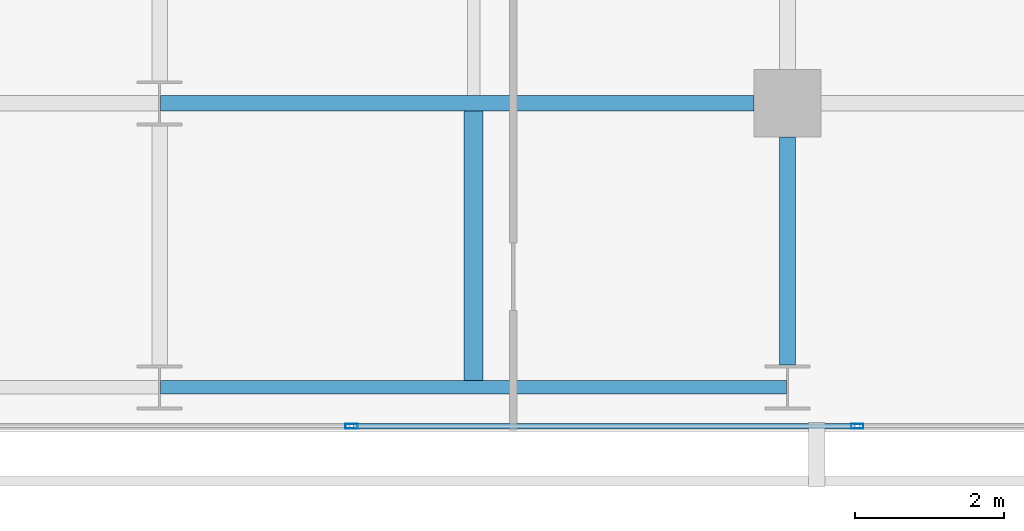
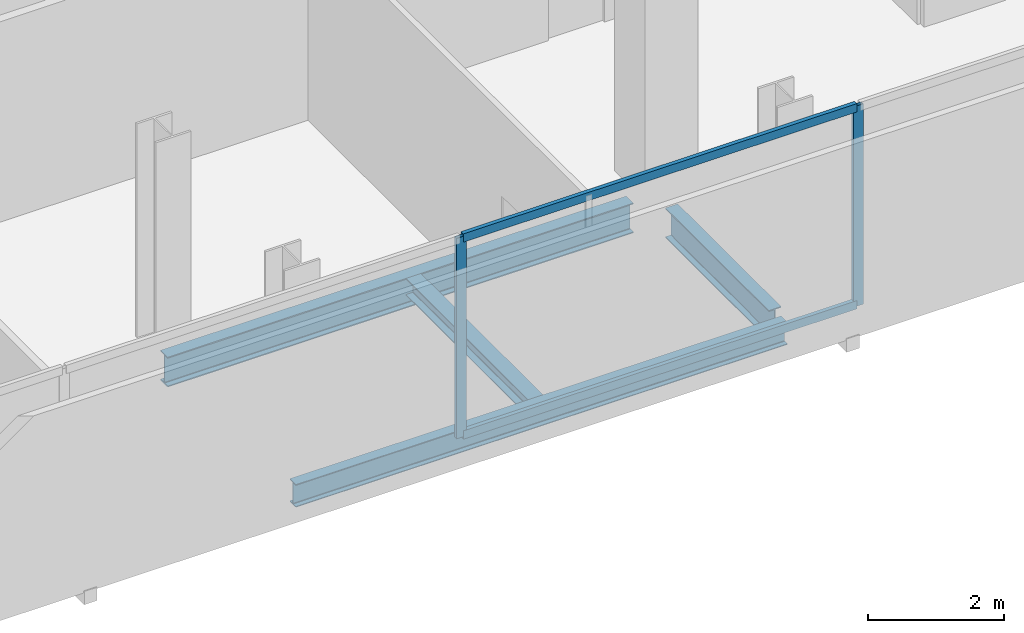
# One storey, part 12 of 32: 4 beams, 4 members, 1 element without a shape of its own.
"""IFC4 building model written with IfcOpenShell, lengths in metres."""

from ifc_helpers import new_model, si_unit, direction, frame, origin, origin_2d, place, context, subcontext, project, spatial, hollow_rectangle, i_section, extrude, material, layer, layer_set, material_profile, profile_set, type_object, element, aggregate, save


model = new_model("IFC4")

# Units and contexts
model_context = context("Model", 3, precision=1e-05, world=origin(), true_north=direction((0.0, 1.0)))
body_context = subcontext(model_context, "Body", "Model", "MODEL_VIEW")
ifc_project = project(units=[si_unit("LENGTHUNIT", "METRE"), si_unit("AREAUNIT", "SQUARE_METRE"), si_unit("VOLUMEUNIT", "CUBIC_METRE"), si_unit("PLANEANGLEUNIT", "RADIAN"), si_unit("MASSUNIT", "GRAM", prefix="KILO")], contexts=[model_context])

# Site, building, storey
site_placement = place(None, origin())
site = spatial("IfcSite", under=ifc_project, at=site_placement, CompositionType="ELEMENT")
building_placement = place(site_placement, origin())
building = spatial("IfcBuilding", under=site, at=building_placement, Name="Maruvema Waterfront Hotel and Observation Tower", CompositionType="ELEMENT")
storey_placement = place(building_placement, frame((0.0, 0.0, 219.800048828125)))
storey = spatial("IfcBuildingStorey", under=building, at=storey_placement, Name="L54", CompositionType="ELEMENT", Elevation=219.800048828125)

# Curtain wall, members
ifc_material_1 = material(Name="Anodised bronze aluminium and solar-control low-E IGU", Category="aluminium")
ifc_layer = layer(ifc_material_1, 0.159912109375, Name="Zone 2 Amber Inner Thermal Curtain Wall System CW-03")
ifc_layer_set = layer_set([ifc_layer], Name="Anodised bronze aluminium and solar-control low-E IGU")
curtain_wall_type = type_object("IfcCurtainWallType", Name="Zone 2 Amber Inner Thermal Curtain Wall System CW-03", PredefinedType="USERDEFINED", material=ifc_layer_set)
curtain_wall_placement = place(storey_placement, origin())
curtain_wall = element("IfcCurtainWall", 1, at=curtain_wall_placement, inside=storey, type_object=curtain_wall_type, Name="L54 Curtain Wall CW-L54-S", ObjectType="UNITISED CURTAIN WALL", PredefinedType="USERDEFINED")
ifc_material_2 = material(Name="Anodised architectural bronze aluminium", Category="aluminium")
ifc_material_profile_1 = material_profile(ifc_material_2, hollow_rectangle(XDim=0.070068359375, YDim=0.14990234375, WallThickness=0.00390625, at=origin_2d()), Name="ALU-T70x150")
ifc_profile_set_1 = profile_set([ifc_material_profile_1], Name="Anodised architectural bronze aluminium")
member_type_1 = type_object("IfcMemberType", Name="Curtain Wall Horizontal Transom ALU-T70x150", PredefinedType="USERDEFINED", material=ifc_profile_set_1)
member_1_placement = place(storey_placement, frame((44.5966796875, 4.679931640625, 0.030029296875), z_axis=(1.0, 0.0, 0.0), x_axis=(0.0, 1.0, 0.0)))
member_1 = element("IfcMember", 2, at=member_1_placement, type_object=member_type_1, Name="CW-03 transom 5.1", ObjectType="TRANSOM", PredefinedType="USERDEFINED", context=body_context, shape_type="SweptSolid", body=[
    extrude(hollow_rectangle(XDim=0.070068359375, YDim=0.14990234375, WallThickness=0.00390625, at=origin_2d()), origin(), (0.0, 0.0, 1.0), 6.70654296875),
])
member_2_placement = place(storey_placement, frame((44.5966796875, 4.679931640625, 3.579833984375), z_axis=(1.0, 0.0, 0.0), x_axis=(0.0, 1.0, 0.0)))
member_2 = element("IfcMember", 3, at=member_2_placement, type_object=member_type_1, Name="CW-03 transom 5.2", ObjectType="TRANSOM", PredefinedType="USERDEFINED", context=body_context, shape_type="SweptSolid", body=[
    extrude(hollow_rectangle(XDim=0.070068359375, YDim=0.14990234375, WallThickness=0.00390625, at=origin_2d()), origin(), (0.0, 0.0, 1.0), 6.70654296875),
])
ifc_material_3 = material(Name="Anodised architectural bronze aluminium", Category="aluminium")
ifc_material_profile_2 = material_profile(ifc_material_3, hollow_rectangle(XDim=0.06494140625, YDim=0.1650390625, WallThickness=0.00390625, at=origin_2d()), Name="ALU-M65x165")
ifc_profile_set_2 = profile_set([ifc_material_profile_2], Name="Anodised architectural bronze aluminium")
member_type_2 = type_object("IfcMemberType", Name="Curtain Wall Primary Mullion ALU-M65x165", PredefinedType="MULLION", material=ifc_profile_set_2)
member_3_placement = place(storey_placement, frame((44.566650390625, 4.679931640625, 0.0), z_axis=(0.0, 0.0, 1.0), x_axis=(0.0, 1.0, 0.0)))
member_3 = element("IfcMember", 4, at=member_3_placement, type_object=member_type_2, Name="CW-03 mullion 5", PredefinedType="MULLION", context=body_context, shape_type="SweptSolid", body=[
    extrude(hollow_rectangle(XDim=0.06494140625, YDim=0.1650390625, WallThickness=0.00390625, at=origin_2d()), origin(), (0.0, 0.0, 1.0), 3.60986328125),
])
member_4_placement = place(storey_placement, frame((51.333251953125, 4.679931640625, 0.0), z_axis=(0.0, 0.0, 1.0), x_axis=(0.0, 1.0, 0.0)))
member_4 = element("IfcMember", 5, at=member_4_placement, type_object=member_type_2, Name="CW-03 mullion 6", PredefinedType="MULLION", context=body_context, shape_type="SweptSolid", body=[
    extrude(hollow_rectangle(XDim=0.06494140625, YDim=0.1650390625, WallThickness=0.00390625, at=origin_2d()), origin(), (0.0, 0.0, 1.0), 3.60986328125),
])
aggregate(curtain_wall, [member_3, member_4, member_1, member_2])

# Beams
ifc_material_4 = material(Name="Steel ASTM A572 Grade 50", Category="steel")
ifc_material_profile_3 = material_profile(ifc_material_4, i_section(OverallWidth=0.178955078125, OverallDepth=0.409912109375, WebThickness=0.0087890625, FlangeThickness=0.014404296875, FilletRadius=0.014892578125, at=origin_2d()), Name="W410x67.0")
ifc_profile_set_3 = profile_set([ifc_material_profile_3], Name="Steel ASTM A572 Grade 50")
beam_type_1 = type_object("IfcBeamType", Name="Perimeter Spandrel Beam W410x67.0", PredefinedType="SPANDREL", material=ifc_profile_set_3)
beam_1_placement = place(storey_placement, frame((42.012451171875, 5.199951171875, -0.445068359375), z_axis=(1.0, 0.0, 0.0), x_axis=(0.0, 1.0, 0.0)))
element("IfcBeam", 6, at=beam_1_placement, inside=storey, type_object=beam_type_1, Name="L54 Floor Girder EW-03", PredefinedType="SPANDREL", context=body_context, shape_type="SweptSolid", body=[
    extrude(i_section(OverallWidth=0.178955078125, OverallDepth=0.409912109375, WebThickness=0.0087890625, FlangeThickness=0.014404296875, FilletRadius=0.014892578125, at=origin_2d()), origin(), (0.0, 0.0, 1.0), 8.375),
])
ifc_material_5 = material(Name="Steel ASTM A572 Grade 50", Category="steel")
ifc_material_profile_4 = material_profile(ifc_material_5, i_section(OverallWidth=0.2109375, OverallDepth=0.5390625, WebThickness=0.01171875, FlangeThickness=0.018798828125, FilletRadius=0.014892578125, at=origin_2d()), Name="W530x109.0")
ifc_profile_set_4 = profile_set([ifc_material_profile_4], Name="Steel ASTM A572 Grade 50")
beam_type_2 = type_object("IfcBeamType", Name="Primary Floor Girder W530x109.0", PredefinedType="BEAM", material=ifc_profile_set_4)
beam_2_placement = place(storey_placement, frame((42.012451171875, 9.0, -0.509521484375), z_axis=(1.0, 0.0, 0.0), x_axis=(0.0, 1.0, 0.0)))
element("IfcBeam", 7, at=beam_2_placement, inside=storey, type_object=beam_type_2, Name="L54 Floor Girder EW-08", PredefinedType="BEAM", context=body_context, shape_type="SweptSolid", body=[
    extrude(i_section(OverallWidth=0.2109375, OverallDepth=0.5390625, WebThickness=0.01171875, FlangeThickness=0.018798828125, FilletRadius=0.014892578125, at=origin_2d()), origin(), (0.0, 0.0, 1.0), 7.9375),
])
beam_3_placement = place(storey_placement, frame((50.39990234375, 5.5, -0.509521484375), z_axis=(0.0, 1.0, 0.0), x_axis=(-1.0, 0.0, 0.0)))
element("IfcBeam", 8, at=beam_3_placement, inside=storey, type_object=beam_type_2, Name="L54 Floor Girder NS-20", PredefinedType="BEAM", context=body_context, shape_type="SweptSolid", body=[
    extrude(i_section(OverallWidth=0.2109375, OverallDepth=0.5390625, WebThickness=0.01171875, FlangeThickness=0.018798828125, FilletRadius=0.014892578125, at=origin_2d()), origin(), (0.0, 0.0, 1.0), 3.050048828125),
])
ifc_material_6 = material(Name="Steel ASTM A572 Grade 50", Category="steel")
ifc_material_profile_5 = material_profile(ifc_material_6, i_section(OverallWidth=0.25390625, OverallDepth=0.305908203125, WebThickness=0.0087890625, FlangeThickness=0.0146484375, FilletRadius=0.014892578125, at=origin_2d()), Name="W310x79.0")
ifc_profile_set_5 = profile_set([ifc_material_profile_5], Name="Steel ASTM A572 Grade 50")
beam_type_3 = type_object("IfcBeamType", Name="Secondary Floor Joist W310x79.0", PredefinedType="JOIST", material=ifc_profile_set_5)
beam_4_placement = place(storey_placement, frame((46.199951171875, 5.28955078125, -0.39306640625), z_axis=(0.0, 1.0, 0.0), x_axis=(-1.0, 0.0, 0.0)))
element("IfcBeam", 9, at=beam_4_placement, inside=storey, type_object=beam_type_3, Name="L54 Secondary Floor Joist JS-09", PredefinedType="JOIST", context=body_context, shape_type="SweptSolid", body=[
    extrude(i_section(OverallWidth=0.25390625, OverallDepth=0.305908203125, WebThickness=0.0087890625, FlangeThickness=0.0146484375, FilletRadius=0.014892578125, at=origin_2d()), origin(), (0.0, 0.0, 1.0), 3.60498046875),
])

save(model, "model.ifc")
